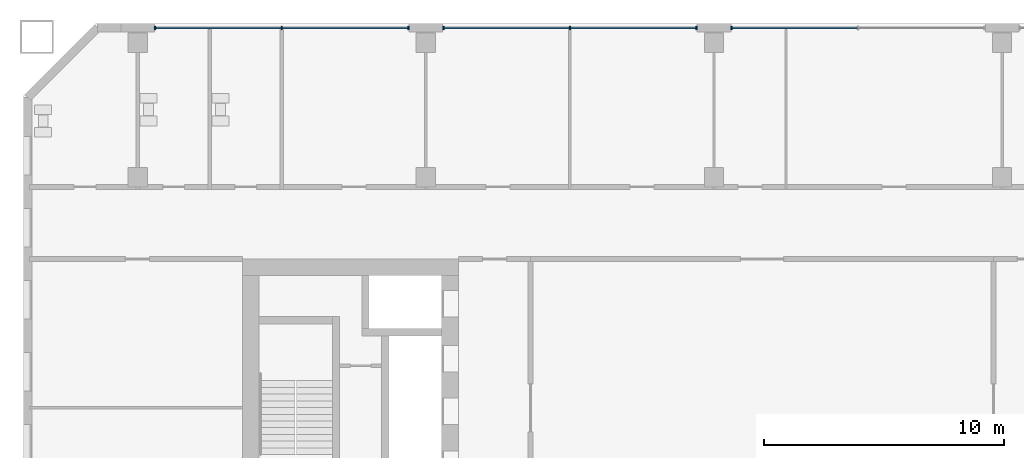
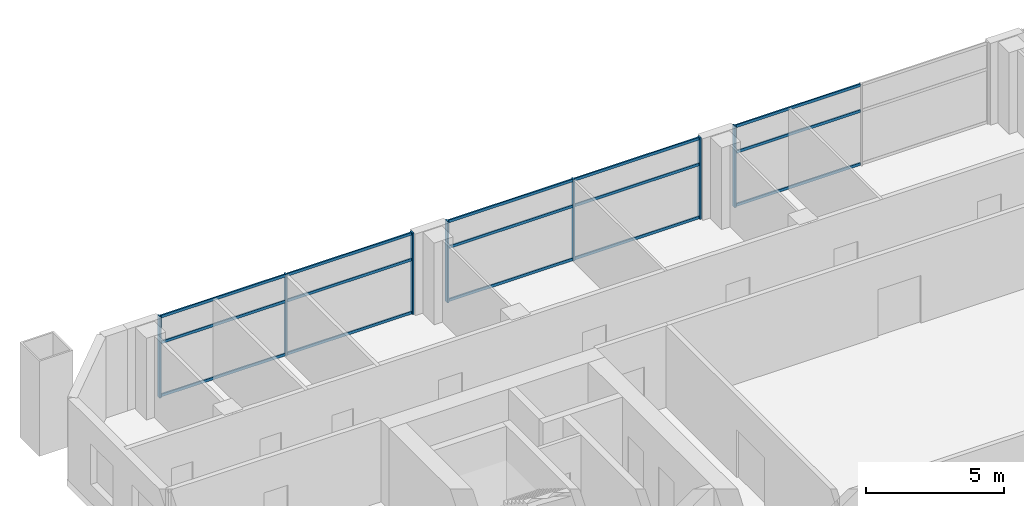
# One storey, part 3 of 19: 22 members, 3 elements without a shape of their own.
"""IFC4 building model written with IfcOpenShell, lengths in metres."""

import ifcopenshell
import ifcopenshell.guid

model = None  # the IFC model being written
_history = None  # IfcOwnerHistory: only IFC2X3 demands one
_inside = {}  # id of a spatial element -> (the spatial element, [elements in it])
_under = {}  # id of a project, library or spatial element -> (it, [spatial elements below it])
_declared = {}  # id of a project -> (the project, [libraries it declares])
_typed = {}  # id of a type object -> (the type object, [elements of that type])
_made_of = {}  # id of a material, layer set ... -> (it, [elements and type objects made of it])


def new_model(schema):
    """Start an empty IFC model of exactly this schema.

    Asked for "IFC4X3", IfcOpenShell would pick the latest addendum, in which some entities
    have other attributes; the version numbers below select the first issue.
    IFC2X3 requires an IfcOwnerHistory on every rooted entity: one is made here for all.
    """
    global model, _history
    if schema == "IFC4X3":
        model = ifcopenshell.file(schema_version=(4, 3, 0, 0))
    else:
        model = ifcopenshell.file(schema=schema)
    _inside.clear()
    _under.clear()
    _declared.clear()
    _typed.clear()
    _made_of.clear()
    _history = None
    if model.schema == "IFC2X3":
        org = make("IfcOrganization", Name="unknown")
        user = make(
            "IfcPersonAndOrganization",
            ThePerson=make("IfcPerson", FamilyName="unknown"),
            TheOrganization=org,
        )
        app = make(
            "IfcApplication",
            ApplicationDeveloper=org,
            Version="unknown",
            ApplicationFullName="unknown",
            ApplicationIdentifier="unknown",
        )
        _history = make(
            "IfcOwnerHistory",
            OwningUser=user,
            OwningApplication=app,
            ChangeAction="ADDED",
            CreationDate=0,
        )
    return model


def make(cls, **values):
    """One entity of the class cls with the attributes given. An attribute that is None is left unset."""
    return model.create_entity(
        cls, **{name: value for name, value in values.items() if value is not None}
    )


def rooted(cls, **values):
    """An entity with a GlobalId (a new one), such as an element, a storey or a relation."""
    return make(cls, GlobalId=ifcopenshell.guid.new(), OwnerHistory=_history, **values)


def si_unit(unit_type, name, prefix=None):
    """IfcSIUnit, for example si_unit("LENGTHUNIT", "METRE", prefix="MILLI")."""
    return make("IfcSIUnit", UnitType=unit_type, Prefix=prefix, Name=name)


def assignment(units):
    """IfcUnitAssignment: the units of a project."""
    return None if units is None else make("IfcUnitAssignment", Units=units)


def point(xyz):
    """IfcCartesianPoint."""
    return None if xyz is None else make("IfcCartesianPoint", Coordinates=xyz)


def direction(xyz):
    """IfcDirection."""
    return None if xyz is None else make("IfcDirection", DirectionRatios=xyz)


def frame(location, z_axis=None, x_axis=None):
    """IfcAxis2Placement3D, a coordinate frame: its origin and axes. An axis left out is left unset."""
    return make(
        "IfcAxis2Placement3D",
        Location=point(location),
        Axis=direction(z_axis),
        RefDirection=direction(x_axis),
    )


def frame_2d(location, x_axis=None):
    """IfcAxis2Placement2D, a coordinate frame in the plane: its origin and x axis."""
    return make(
        "IfcAxis2Placement2D", Location=point(location), RefDirection=direction(x_axis)
    )


def origin():
    """The frame at (0, 0, 0) with its axes left unset."""
    return frame((0.0, 0.0, 0.0))


def origin_2d():
    """The frame at (0, 0) in the plane with its x axis left unset."""
    return frame_2d((0.0, 0.0))


def place(relative_to, where):
    """IfcLocalPlacement: puts the frame where relative to a parent placement (None: the world)."""
    return make(
        "IfcLocalPlacement", PlacementRelTo=relative_to, RelativePlacement=where
    )


def context(
    kind, dimensions, precision=None, world=None, true_north=None, identifier=None
):
    """IfcGeometricRepresentationContext, for example the 3D "Model" context."""
    return make(
        "IfcGeometricRepresentationContext",
        ContextIdentifier=identifier,
        ContextType=kind,
        CoordinateSpaceDimension=dimensions,
        Precision=precision,
        WorldCoordinateSystem=world,
        TrueNorth=true_north,
    )


def subcontext(parent, identifier, kind, view, scale=None):
    """IfcGeometricRepresentationSubContext, for example "Body" below "Model"."""
    return make(
        "IfcGeometricRepresentationSubContext",
        ContextIdentifier=identifier,
        ContextType=kind,
        ParentContext=parent,
        TargetScale=scale,
        TargetView=view,
    )


def project(units=None, contexts=None):
    """IfcProject with its units and contexts."""
    return rooted(
        "IfcProject",
        Name="project",
        RepresentationContexts=contexts,
        UnitsInContext=assignment(units),
    )


def spatial(cls, under=None, at=None, **own):
    """A site, building, storey or space (cls), placed at a placement, below another one or the project."""
    s = rooted(cls, ObjectPlacement=at, **own)
    if under is not None:
        _under.setdefault(under.id(), (under, []))[1].append(s)
    return s


def profile(cls, at=None, kind="AREA", **sizes):
    """A parametric profile (cls). Its sizes go by their IFC names, for example OverallWidth=200.0."""
    return make(cls, ProfileType=kind, Position=at, **sizes)


def rectangle(**sizes):
    """IfcRectangleProfileDef."""
    return profile("IfcRectangleProfileDef", **sizes)


def extrude(swept, where, along, depth):
    """IfcExtrudedAreaSolid: the profile swept, set in the frame where, extruded along a direction by depth."""
    return make(
        "IfcExtrudedAreaSolid",
        SweptArea=swept,
        Position=where,
        ExtrudedDirection=direction(along),
        Depth=depth,
    )


def shape(context_of_items, identifier, shape_type, items):
    """IfcShapeRepresentation: the items that make up one representation, for example the "Body"."""
    return make(
        "IfcShapeRepresentation",
        ContextOfItems=context_of_items,
        RepresentationIdentifier=identifier,
        RepresentationType=shape_type,
        Items=items,
    )


def material(Name=None, Category=None):
    """IfcMaterial."""
    return make("IfcMaterial", Name=Name, Category=Category)


def material_profile(
    of_material, cross_section, Name=None, Category=None, Priority=None
):
    """IfcMaterialProfile: a cross section and its material."""
    return make(
        "IfcMaterialProfile",
        Name=Name,
        Material=of_material,
        Profile=cross_section,
        Priority=Priority,
        Category=Category,
    )


def profile_set(profiles, Name=None, composite=None):
    """IfcMaterialProfileSet."""
    return make(
        "IfcMaterialProfileSet",
        Name=Name,
        MaterialProfiles=profiles,
        CompositeProfile=composite,
    )


def made_of(thing, what):
    """Note that an element or type object is made of a material, layer set ...; save() writes the relation."""
    if what is not None:
        _made_of.setdefault(what.id(), (what, []))[1].append(thing)
    return thing


def type_object(cls, material=None, **own):
    """A type object (cls), such as IfcWallType, which elements share."""
    return made_of(rooted(cls, **own), material)


def element(
    cls,
    number,
    at=None,
    inside=None,
    cuts=None,
    type_object=None,
    material=None,
    context=None,
    identifier="Body",
    shape_type=None,
    held_by="IfcProductDefinitionShape",
    body=None,
    shapes=None,
    **own,
):
    """One element of the class cls, such as IfcWall. Its Tag is "e" and its number.

    at: its placement. inside: the storey or other place that contains it. cuts: it is an
    opening in that element (IfcRelVoidsElement). A single representation is given by context,
    identifier, shape_type and body (its items); several are given by shapes. held_by: the class
    of the entity that holds the representations. save() writes the other relations.
    """
    e = rooted(cls, Tag="e%d" % number, ObjectPlacement=at, **own)
    if body is not None:
        shapes = [shape(context, identifier, shape_type, body)]
    if shapes is not None:
        e.Representation = make(held_by, Representations=shapes)
    if inside is not None:
        _inside.setdefault(inside.id(), (inside, []))[1].append(e)
    if cuts is not None:
        rooted(
            "IfcRelVoidsElement", RelatingBuildingElement=cuts, RelatedOpeningElement=e
        )
    if type_object is not None:
        _typed.setdefault(type_object.id(), (type_object, []))[1].append(e)
    return made_of(e, material)


def aggregate(whole, parts):
    """IfcRelAggregates: a whole, such as a stair, and the parts it consists of."""
    return rooted("IfcRelAggregates", RelatingObject=whole, RelatedObjects=parts)


def save(model, path):
    """Write the relations noted so far, then the file.

    IfcRelAggregates (storeys below a building ...), IfcRelContainedInSpatialStructure (elements
    in a storey), IfcRelDefinesByType, IfcRelAssociatesMaterial and IfcRelDeclares: one each for
    every whole, place, type object, material and project.
    """
    for whole, parts in _under.values():
        aggregate(whole, parts)
    for where, things in _inside.values():
        rooted(
            "IfcRelContainedInSpatialStructure",
            RelatedElements=things,
            RelatingStructure=where,
        )
    for kind, things in _typed.values():
        rooted("IfcRelDefinesByType", RelatedObjects=things, RelatingType=kind)
    for what, things in _made_of.values():
        rooted("IfcRelAssociatesMaterial", RelatedObjects=things, RelatingMaterial=what)
    for by, libraries in _declared.values():
        rooted("IfcRelDeclares", RelatingContext=by, RelatedDefinitions=libraries)
    model.write(path)


model = new_model("IFC4")

# Units and contexts
model_context = context("Model", 3, precision=1e-05, world=origin(), true_north=direction((0.0, 1.0)))
body_context = subcontext(model_context, "Body", "Model", "MODEL_VIEW")
ifc_project = project(units=[si_unit("LENGTHUNIT", "METRE"), si_unit("AREAUNIT", "SQUARE_METRE"), si_unit("VOLUMEUNIT", "CUBIC_METRE"), si_unit("PLANEANGLEUNIT", "RADIAN"), si_unit("MASSUNIT", "GRAM", prefix="KILO")], contexts=[model_context])

# Site, building, storey
site_placement = place(None, origin())
site = spatial("IfcSite", under=ifc_project, at=site_placement, CompositionType="ELEMENT")
building_placement = place(site_placement, origin())
building = spatial("IfcBuilding", under=site, at=building_placement, Name="Tuart Gate Housing", CompositionType="ELEMENT")
storey_placement = place(building_placement, frame((0.0, 0.0, 67.39990234375)))
storey = spatial("IfcBuildingStorey", under=building, at=storey_placement, Name="L18", CompositionType="ELEMENT", Elevation=67.39990234375)

# Curtain wall, member
ifc_material_1 = material(Name="Aluminium and clear glass", Category="aluminium")
curtain_wall_type = type_object("IfcCurtainWallType", Name="Community floor glazing", PredefinedType="USERDEFINED", material=ifc_material_1)
curtain_wall_1_placement = place(storey_placement, origin())
curtain_wall_1 = element("IfcCurtainWall", 1, at=curtain_wall_1_placement, inside=storey, type_object=curtain_wall_type, Name="Community floor glazing A-N L18", ObjectType="COMMUNITY FLOOR GLAZING", PredefinedType="USERDEFINED")
ifc_material_2 = material(Name="Anodised aluminium", Category="aluminium")
ifc_material_profile_1 = material_profile(ifc_material_2, rectangle(XDim=0.06005859375, YDim=0.159912109375, at=origin_2d()), Name="60x160")
ifc_profile_set_1 = profile_set([ifc_material_profile_1], Name="Anodised aluminium")
member_type_1 = type_object("IfcMemberType", Name="Mullion 60 x 160", PredefinedType="MULLION", material=ifc_profile_set_1)
member_1_placement = place(storey_placement, frame((52.72998046875, 85.820068359375, 0.0), z_axis=(0.0, 0.0, 1.0), x_axis=(-1.0, 0.0, 0.0)))
member_1 = element("IfcMember", 2, at=member_1_placement, type_object=member_type_1, Name="CW3 mullion 3", PredefinedType="MULLION", context=body_context, shape_type="SweptSolid", body=[
    extrude(rectangle(XDim=0.06005859375, YDim=0.159912109375, at=origin_2d()), origin(), (0.0, 0.0, 1.0), 3.60009765625),
])

# Curtain wall, members
curtain_wall_2_placement = place(storey_placement, origin())
curtain_wall_2 = element("IfcCurtainWall", 3, at=curtain_wall_2_placement, inside=storey, type_object=curtain_wall_type, Name="Community floor glazing A-N L18", ObjectType="COMMUNITY FLOOR GLAZING", PredefinedType="USERDEFINED")
member_2_placement = place(storey_placement, frame((51.27001953125, 85.820068359375, 0.0), z_axis=(0.0, 0.0, 1.0), x_axis=(-1.0, 0.0, 0.0)))
member_2 = element("IfcMember", 4, at=member_2_placement, type_object=member_type_1, Name="CW3 mullion 1", PredefinedType="MULLION", context=body_context, shape_type="SweptSolid", body=[
    extrude(rectangle(XDim=0.06005859375, YDim=0.159912109375, at=origin_2d()), origin(), (0.0, 0.0, 1.0), 3.60009765625),
])
member_3_placement = place(storey_placement, frame((46.0, 85.820068359375, 0.0), z_axis=(0.0, 0.0, 1.0), x_axis=(-1.0, 0.0, 0.0)))
member_3 = element("IfcMember", 5, at=member_3_placement, type_object=member_type_1, Name="CW3 mullion 2", PredefinedType="MULLION", context=body_context, shape_type="SweptSolid", body=[
    extrude(rectangle(XDim=0.06005859375, YDim=0.159912109375, at=origin_2d()), origin(), (0.0, 0.0, 1.0), 3.60009765625),
])
member_4_placement = place(storey_placement, frame((40.72998046875, 85.820068359375, 0.0), z_axis=(0.0, 0.0, 1.0), x_axis=(-1.0, 0.0, 0.0)))
member_4 = element("IfcMember", 6, at=member_4_placement, type_object=member_type_1, Name="CW3 mullion 3", PredefinedType="MULLION", context=body_context, shape_type="SweptSolid", body=[
    extrude(rectangle(XDim=0.06005859375, YDim=0.159912109375, at=origin_2d()), origin(), (0.0, 0.0, 1.0), 3.60009765625),
])

curtain_wall_3_placement = place(storey_placement, origin())
curtain_wall_3 = element("IfcCurtainWall", 7, at=curtain_wall_3_placement, inside=storey, type_object=curtain_wall_type, Name="Community floor glazing A-N L18", ObjectType="COMMUNITY FLOOR GLAZING", PredefinedType="USERDEFINED")
member_5_placement = place(storey_placement, frame((39.27001953125, 85.820068359375, 0.0), z_axis=(0.0, 0.0, 1.0), x_axis=(-1.0, 0.0, 0.0)))
member_5 = element("IfcMember", 8, at=member_5_placement, type_object=member_type_1, Name="CW3 mullion 1", PredefinedType="MULLION", context=body_context, shape_type="SweptSolid", body=[
    extrude(rectangle(XDim=0.06005859375, YDim=0.159912109375, at=origin_2d()), origin(), (0.0, 0.0, 1.0), 3.60009765625),
])
member_6_placement = place(storey_placement, frame((34.0, 85.820068359375, 0.0), z_axis=(0.0, 0.0, 1.0), x_axis=(-1.0, 0.0, 0.0)))
member_6 = element("IfcMember", 9, at=member_6_placement, type_object=member_type_1, Name="CW3 mullion 2", PredefinedType="MULLION", context=body_context, shape_type="SweptSolid", body=[
    extrude(rectangle(XDim=0.06005859375, YDim=0.159912109375, at=origin_2d()), origin(), (0.0, 0.0, 1.0), 3.60009765625),
])
member_7_placement = place(storey_placement, frame((28.72998046875, 85.820068359375, 0.0), z_axis=(0.0, 0.0, 1.0), x_axis=(-1.0, 0.0, 0.0)))
member_7 = element("IfcMember", 10, at=member_7_placement, type_object=member_type_1, Name="CW3 mullion 3", PredefinedType="MULLION", context=body_context, shape_type="SweptSolid", body=[
    extrude(rectangle(XDim=0.06005859375, YDim=0.159912109375, at=origin_2d()), origin(), (0.0, 0.0, 1.0), 3.60009765625),
])

# Member
ifc_material_3 = material(Name="Anodised aluminium", Category="aluminium")
ifc_material_profile_2 = material_profile(ifc_material_3, rectangle(XDim=0.06005859375, YDim=0.1201171875, at=origin_2d()), Name="60x120")
ifc_profile_set_2 = profile_set([ifc_material_profile_2], Name="Anodised aluminium")
member_type_2 = type_object("IfcMemberType", Name="Transom 60 x 120", PredefinedType="USERDEFINED", material=ifc_profile_set_2)
member_8_placement = place(storey_placement, frame((57.969970703125, 85.820068359375, 0.06005859375), z_axis=(-1.0, 0.0, 0.0), x_axis=(0.0, -1.0, 0.0)))
member_8 = element("IfcMember", 11, at=member_8_placement, type_object=member_type_2, Name="CW3 transom 2.1", ObjectType="TRANSOM", PredefinedType="USERDEFINED", context=body_context, shape_type="SweptSolid", body=[
    extrude(rectangle(XDim=0.06005859375, YDim=0.1201171875, at=origin_2d()), origin(), (0.0, 0.0, 1.0), 5.2099609375),
])

member_9_placement = place(storey_placement, frame((57.969970703125, 85.820068359375, 2.400146484375), z_axis=(-1.0, 0.0, 0.0), x_axis=(0.0, -1.0, 0.0)))
member_9 = element("IfcMember", 12, at=member_9_placement, type_object=member_type_2, Name="CW3 transom 2.2", ObjectType="TRANSOM", PredefinedType="USERDEFINED", context=body_context, shape_type="SweptSolid", body=[
    extrude(rectangle(XDim=0.06005859375, YDim=0.1201171875, at=origin_2d()), origin(), (0.0, 0.0, 1.0), 5.2099609375),
])

member_10_placement = place(storey_placement, frame((57.969970703125, 85.820068359375, 3.5400390625), z_axis=(-1.0, 0.0, 0.0), x_axis=(0.0, -1.0, 0.0)))
member_10 = element("IfcMember", 13, at=member_10_placement, type_object=member_type_2, Name="CW3 transom 2.3", ObjectType="TRANSOM", PredefinedType="USERDEFINED", context=body_context, shape_type="SweptSolid", body=[
    extrude(rectangle(XDim=0.06005859375, YDim=0.1201171875, at=origin_2d()), origin(), (0.0, 0.0, 1.0), 5.2099609375),
])

aggregate(curtain_wall_1, [member_1, member_8, member_9, member_10])

member_11_placement = place(storey_placement, frame((51.239990234375, 85.820068359375, 0.06005859375), z_axis=(-1.0, 0.0, 0.0), x_axis=(0.0, -1.0, 0.0)))
member_11 = element("IfcMember", 14, at=member_11_placement, type_object=member_type_2, Name="CW3 transom 1.1", ObjectType="TRANSOM", PredefinedType="USERDEFINED", context=body_context, shape_type="SweptSolid", body=[
    extrude(rectangle(XDim=0.06005859375, YDim=0.1201171875, at=origin_2d()), origin(), (0.0, 0.0, 1.0), 5.2099609375),
])

member_12_placement = place(storey_placement, frame((51.239990234375, 85.820068359375, 2.400146484375), z_axis=(-1.0, 0.0, 0.0), x_axis=(0.0, -1.0, 0.0)))
member_12 = element("IfcMember", 15, at=member_12_placement, type_object=member_type_2, Name="CW3 transom 1.2", ObjectType="TRANSOM", PredefinedType="USERDEFINED", context=body_context, shape_type="SweptSolid", body=[
    extrude(rectangle(XDim=0.06005859375, YDim=0.1201171875, at=origin_2d()), origin(), (0.0, 0.0, 1.0), 5.2099609375),
])

member_13_placement = place(storey_placement, frame((51.239990234375, 85.820068359375, 3.5400390625), z_axis=(-1.0, 0.0, 0.0), x_axis=(0.0, -1.0, 0.0)))
member_13 = element("IfcMember", 16, at=member_13_placement, type_object=member_type_2, Name="CW3 transom 1.3", ObjectType="TRANSOM", PredefinedType="USERDEFINED", context=body_context, shape_type="SweptSolid", body=[
    extrude(rectangle(XDim=0.06005859375, YDim=0.1201171875, at=origin_2d()), origin(), (0.0, 0.0, 1.0), 5.2099609375),
])

member_14_placement = place(storey_placement, frame((45.969970703125, 85.820068359375, 0.06005859375), z_axis=(-1.0, 0.0, 0.0), x_axis=(0.0, -1.0, 0.0)))
member_14 = element("IfcMember", 17, at=member_14_placement, type_object=member_type_2, Name="CW3 transom 2.1", ObjectType="TRANSOM", PredefinedType="USERDEFINED", context=body_context, shape_type="SweptSolid", body=[
    extrude(rectangle(XDim=0.06005859375, YDim=0.1201171875, at=origin_2d()), origin(), (0.0, 0.0, 1.0), 5.2099609375),
])

member_15_placement = place(storey_placement, frame((45.969970703125, 85.820068359375, 2.400146484375), z_axis=(-1.0, 0.0, 0.0), x_axis=(0.0, -1.0, 0.0)))
member_15 = element("IfcMember", 18, at=member_15_placement, type_object=member_type_2, Name="CW3 transom 2.2", ObjectType="TRANSOM", PredefinedType="USERDEFINED", context=body_context, shape_type="SweptSolid", body=[
    extrude(rectangle(XDim=0.06005859375, YDim=0.1201171875, at=origin_2d()), origin(), (0.0, 0.0, 1.0), 5.2099609375),
])

member_16_placement = place(storey_placement, frame((45.969970703125, 85.820068359375, 3.5400390625), z_axis=(-1.0, 0.0, 0.0), x_axis=(0.0, -1.0, 0.0)))
member_16 = element("IfcMember", 19, at=member_16_placement, type_object=member_type_2, Name="CW3 transom 2.3", ObjectType="TRANSOM", PredefinedType="USERDEFINED", context=body_context, shape_type="SweptSolid", body=[
    extrude(rectangle(XDim=0.06005859375, YDim=0.1201171875, at=origin_2d()), origin(), (0.0, 0.0, 1.0), 5.2099609375),
])

aggregate(curtain_wall_2, [member_2, member_3, member_4, member_11, member_12, member_13, member_14, member_15, member_16])

member_17_placement = place(storey_placement, frame((39.239990234375, 85.820068359375, 0.06005859375), z_axis=(-1.0, 0.0, 0.0), x_axis=(0.0, -1.0, 0.0)))
member_17 = element("IfcMember", 20, at=member_17_placement, type_object=member_type_2, Name="CW3 transom 1.1", ObjectType="TRANSOM", PredefinedType="USERDEFINED", context=body_context, shape_type="SweptSolid", body=[
    extrude(rectangle(XDim=0.06005859375, YDim=0.1201171875, at=origin_2d()), origin(), (0.0, 0.0, 1.0), 5.2099609375),
])

member_18_placement = place(storey_placement, frame((39.239990234375, 85.820068359375, 2.400146484375), z_axis=(-1.0, 0.0, 0.0), x_axis=(0.0, -1.0, 0.0)))
member_18 = element("IfcMember", 21, at=member_18_placement, type_object=member_type_2, Name="CW3 transom 1.2", ObjectType="TRANSOM", PredefinedType="USERDEFINED", context=body_context, shape_type="SweptSolid", body=[
    extrude(rectangle(XDim=0.06005859375, YDim=0.1201171875, at=origin_2d()), origin(), (0.0, 0.0, 1.0), 5.2099609375),
])

member_19_placement = place(storey_placement, frame((39.239990234375, 85.820068359375, 3.5400390625), z_axis=(-1.0, 0.0, 0.0), x_axis=(0.0, -1.0, 0.0)))
member_19 = element("IfcMember", 22, at=member_19_placement, type_object=member_type_2, Name="CW3 transom 1.3", ObjectType="TRANSOM", PredefinedType="USERDEFINED", context=body_context, shape_type="SweptSolid", body=[
    extrude(rectangle(XDim=0.06005859375, YDim=0.1201171875, at=origin_2d()), origin(), (0.0, 0.0, 1.0), 5.2099609375),
])

member_20_placement = place(storey_placement, frame((33.969970703125, 85.820068359375, 0.06005859375), z_axis=(-1.0, 0.0, 0.0), x_axis=(0.0, -1.0, 0.0)))
member_20 = element("IfcMember", 23, at=member_20_placement, type_object=member_type_2, Name="CW3 transom 2.1", ObjectType="TRANSOM", PredefinedType="USERDEFINED", context=body_context, shape_type="SweptSolid", body=[
    extrude(rectangle(XDim=0.06005859375, YDim=0.1201171875, at=origin_2d()), origin(), (0.0, 0.0, 1.0), 5.2099609375),
])

member_21_placement = place(storey_placement, frame((33.969970703125, 85.820068359375, 2.400146484375), z_axis=(-1.0, 0.0, 0.0), x_axis=(0.0, -1.0, 0.0)))
member_21 = element("IfcMember", 24, at=member_21_placement, type_object=member_type_2, Name="CW3 transom 2.2", ObjectType="TRANSOM", PredefinedType="USERDEFINED", context=body_context, shape_type="SweptSolid", body=[
    extrude(rectangle(XDim=0.06005859375, YDim=0.1201171875, at=origin_2d()), origin(), (0.0, 0.0, 1.0), 5.2099609375),
])

member_22_placement = place(storey_placement, frame((33.969970703125, 85.820068359375, 3.5400390625), z_axis=(-1.0, 0.0, 0.0), x_axis=(0.0, -1.0, 0.0)))
member_22 = element("IfcMember", 25, at=member_22_placement, type_object=member_type_2, Name="CW3 transom 2.3", ObjectType="TRANSOM", PredefinedType="USERDEFINED", context=body_context, shape_type="SweptSolid", body=[
    extrude(rectangle(XDim=0.06005859375, YDim=0.1201171875, at=origin_2d()), origin(), (0.0, 0.0, 1.0), 5.2099609375),
])

aggregate(curtain_wall_3, [member_5, member_6, member_7, member_17, member_18, member_19, member_20, member_21, member_22])

save(model, "model.ifc")
